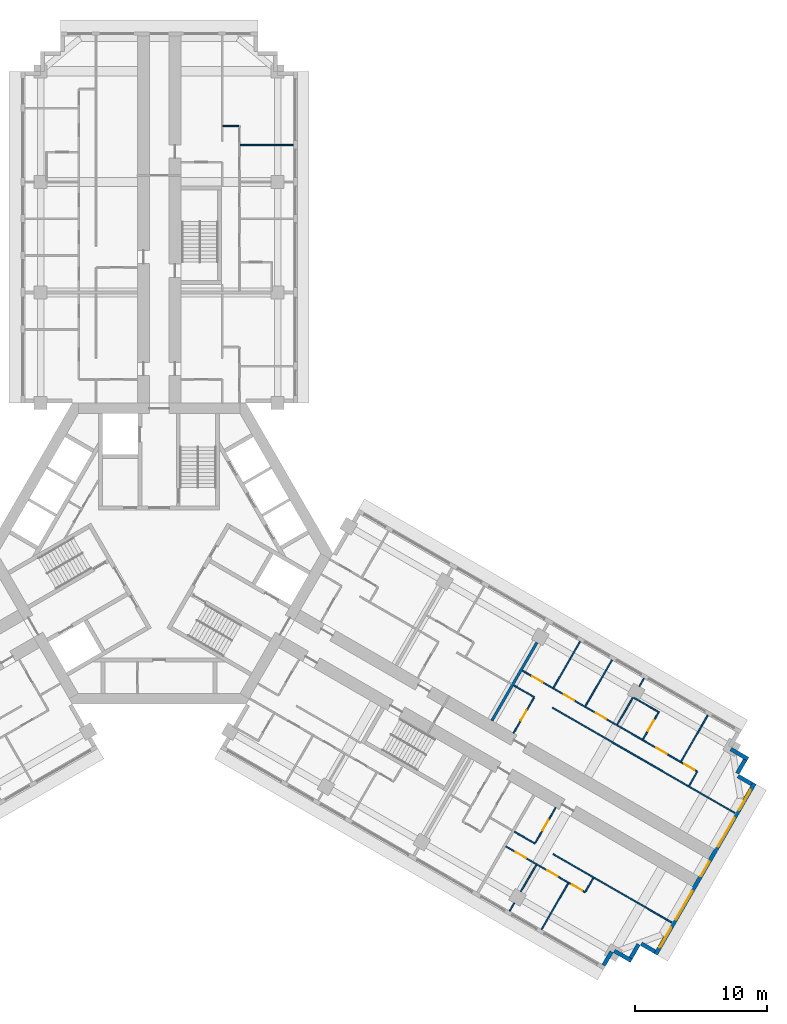
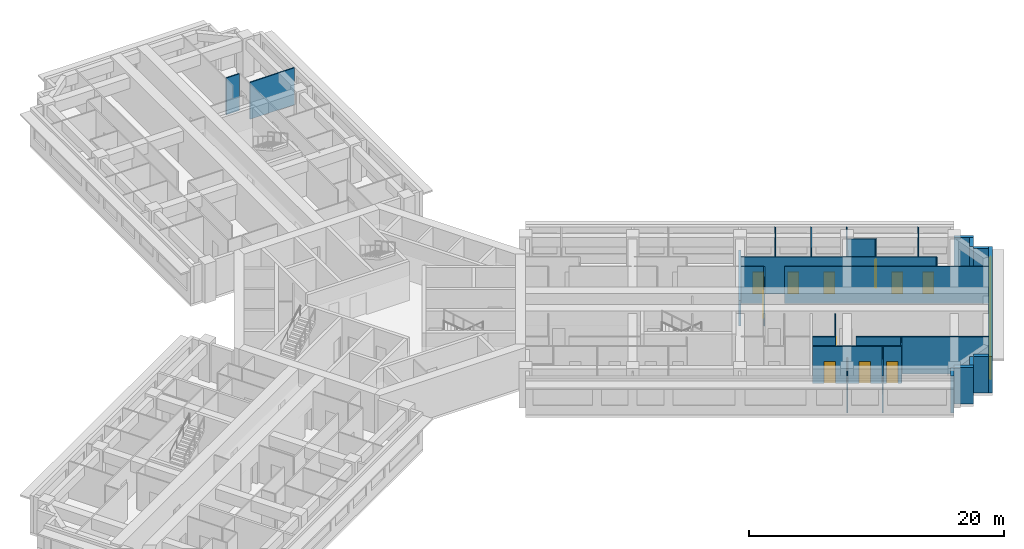
# One storey, part 10 of 13: 31 walls, 11 doors, 5 windows, 16 openings.
"""IFC4 building model written with IfcOpenShell, lengths in metres."""

from ifc_helpers import new_model, si_unit, direction, frame, frame_2d, origin, place, context, subcontext, project, spatial, rectangle, extrude, material, layer, layer_set, type_object, element, fill, save


model = new_model("IFC4")

# Units and contexts
model_context = context("Model", 3, precision=1e-05, world=origin(), true_north=direction((0.0, 1.0)))
body_context = subcontext(model_context, "Body", "Model", "MODEL_VIEW")
ifc_project = project(units=[si_unit("LENGTHUNIT", "METRE"), si_unit("AREAUNIT", "SQUARE_METRE"), si_unit("VOLUMEUNIT", "CUBIC_METRE"), si_unit("PLANEANGLEUNIT", "RADIAN"), si_unit("MASSUNIT", "GRAM", prefix="KILO")], contexts=[model_context])

# Site, building, storey
site_placement = place(None, origin())
site = spatial("IfcSite", under=ifc_project, at=site_placement, CompositionType="ELEMENT")
building_placement = place(site_placement, origin())
building = spatial("IfcBuilding", under=site, at=building_placement, Name="Impinga Residences", CompositionType="ELEMENT")
storey_placement = place(building_placement, frame((0.0, 0.0, 151.0)))
storey = spatial("IfcBuildingStorey", under=building, at=storey_placement, Name="L37", CompositionType="ELEMENT", Elevation=151.0)

# Walls
ifc_material_1 = material(Name="Terracotta rainscreen on blockwork", Category="masonry")
ifc_layer_1 = layer(ifc_material_1, 0.300048828125)
ifc_layer_set_1 = layer_set([ifc_layer_1], Name="EW1 external wall, terracotta rainscreen on blockwork 300")
wall_type_1 = type_object("IfcWallType", Name="EW1 external wall, terracotta rainscreen on blockwork 300", PredefinedType="SOLIDWALL", material=ifc_layer_set_1)
wall_1_placement = place(storey_placement, frame((43.42333984375, -14.8515625, 0.0), z_axis=(0.0, 0.0, 1.0), x_axis=(0.866031096941, -0.499990139034, 0.0)))
element("IfcWall", 1, at=wall_1_placement, inside=storey, type_object=wall_type_1, Name="External wall EW1 L37", PredefinedType="SOLIDWALL", context=body_context, shape_type="SweptSolid", body=[
    extrude(rectangle(XDim=1.5, YDim=0.300048828125, at=frame_2d((0.75, 0.0))), origin(), (0.0, 0.0, 1.0), 3.530029296875),
])
wall_2_placement = place(storey_placement, frame((44.517578125, -15.65625, 0.0), z_axis=(0.0, 0.0, 1.0), x_axis=(-0.500033551112, -0.866006032174, 0.0)))
element("IfcWall", 2, at=wall_2_placement, inside=storey, type_object=wall_type_1, Name="External wall EW1 L37", PredefinedType="SOLIDWALL", context=body_context, shape_type="SweptSolid", body=[
    extrude(rectangle(XDim=1.2001953125, YDim=0.300048828125, at=frame_2d((0.60009765625, 0.0))), origin(), (0.0, 0.0, 1.0), 3.530029296875),
])
wall_3_placement = place(storey_placement, frame((43.976806640625, -16.903076171875, 0.0), z_axis=(0.0, 0.0, 1.0), x_axis=(0.866059708757, -0.499940577336, 0.0)))
element("IfcWall", 3, at=wall_3_placement, inside=storey, type_object=wall_type_1, Name="External wall EW1 L37", PredefinedType="SOLIDWALL", context=body_context, shape_type="SweptSolid", body=[
    extrude(rectangle(XDim=1.195068359375, YDim=0.300048828125, at=frame_2d((0.59765625, 0.0))), origin(), (0.0, 0.0, 1.0), 3.530029296875),
])

# Wall, openings, windows
wall_4_placement = place(storey_placement, frame((45.216552734375, -17.445556640625, 0.0), z_axis=(0.0, 0.0, 1.0), x_axis=(-0.499997186618, -0.866027028085, 0.0)))
wall_4 = element("IfcWall", 4, at=wall_4_placement, inside=storey, type_object=wall_type_1, Name="External wall EW1 L37", PredefinedType="SOLIDWALL", context=body_context, shape_type="SweptSolid", body=[
    extrude(rectangle(XDim=15.0, YDim=0.300048828125, at=frame_2d((7.5, 0.0))), origin(), (0.0, 0.0, 1.0), 3.530029296875),
])
opening_1_placement = place(wall_4_placement, frame((0.60009765625, 0.0, 0.89990234375)))
opening_1 = element("IfcOpeningElement", 5, at=opening_1_placement, cuts=wall_4, Name="Opening W1", PredefinedType="OPENING", context=body_context, shape_type="SweptSolid", body=[
    extrude(rectangle(XDim=1.75, YDim=2.050048828125, at=frame_2d((0.875, 1.02490234375))), frame((0.0, 0.159912109375, 0.0), z_axis=(0.0, -1.0, 0.0), x_axis=(1.0, 0.0, 0.0)), (0.0, 0.0, 1.0), 0.320068359375),
])
opening_2_placement = place(wall_4_placement, frame((3.050048828125, 0.0, 0.89990234375)))
opening_2 = element("IfcOpeningElement", 6, at=opening_2_placement, cuts=wall_4, Name="Opening W2", PredefinedType="OPENING", context=body_context, shape_type="SweptSolid", body=[
    extrude(rectangle(XDim=2.5, YDim=2.050048828125, at=frame_2d((1.25, 1.02490234375))), frame((0.0, 0.159912109375, 0.0), z_axis=(0.0, -1.0, 0.0), x_axis=(1.0, 0.0, 0.0)), (0.0, 0.0, 1.0), 0.320068359375),
])
opening_3_placement = place(wall_4_placement, frame((6.85009765625, 0.0, 0.89990234375)))
opening_3 = element("IfcOpeningElement", 7, at=opening_3_placement, cuts=wall_4, Name="Opening WE1", PredefinedType="OPENING", context=body_context, shape_type="SweptSolid", body=[
    extrude(rectangle(XDim=1.300048828125, YDim=2.050048828125, at=frame_2d((0.64990234375, 1.02490234375))), frame((0.0, 0.159912109375, 0.0), z_axis=(0.0, -1.0, 0.0), x_axis=(1.0, 0.0, 0.0)), (0.0, 0.0, 1.0), 0.320068359375),
])
opening_4_placement = place(wall_4_placement, frame((9.449951171875, 0.0, 0.89990234375)))
opening_4 = element("IfcOpeningElement", 8, at=opening_4_placement, cuts=wall_4, Name="Opening W2", PredefinedType="OPENING", context=body_context, shape_type="SweptSolid", body=[
    extrude(rectangle(XDim=2.5, YDim=2.050048828125, at=frame_2d((1.25, 1.02490234375))), frame((0.0, 0.159912109375, 0.0), z_axis=(0.0, -1.0, 0.0), x_axis=(1.0, 0.0, 0.0)), (0.0, 0.0, 1.0), 0.320068359375),
])
opening_5_placement = place(wall_4_placement, frame((12.64990234375, 0.0, 0.89990234375)))
opening_5 = element("IfcOpeningElement", 9, at=opening_5_placement, cuts=wall_4, Name="Opening W1", PredefinedType="OPENING", context=body_context, shape_type="SweptSolid", body=[
    extrude(rectangle(XDim=1.75, YDim=2.050048828125, at=frame_2d((0.875, 1.02490234375))), frame((0.0, 0.159912109375, 0.0), z_axis=(0.0, -1.0, 0.0), x_axis=(1.0, 0.0, 0.0)), (0.0, 0.0, 1.0), 0.320068359375),
])
ifc_material_2 = material(Name="Aluminium window, clear double glazing", Category="aluminium")
window_type_1 = type_object("IfcWindowType", Name="W1 ribbon window 1750x2050", PartitioningType="SINGLE_PANEL", PredefinedType="WINDOW", material=ifc_material_2)
window_1_placement = place(opening_1_placement, origin())
window_1 = element("IfcWindow", 10, at=window_1_placement, inside=storey, type_object=window_type_1, Name="Window L37", OverallHeight=2.050048828125, OverallWidth=1.75, PartitioningType="SINGLE_PANEL", PredefinedType="WINDOW", context=body_context, shape_type="SweptSolid", body=[
    extrude(rectangle(XDim=1.75, YDim=2.050048828125, at=frame_2d((0.875, 1.02490234375))), frame((0.0, 0.030029296875, 0.0), z_axis=(0.0, -1.0, 0.0), x_axis=(1.0, 0.0, 0.0)), (0.0, 0.0, 1.0), 0.06005859375),
])
fill(opening_1, window_1)
window_2_placement = place(opening_5_placement, origin())
window_2 = element("IfcWindow", 11, at=window_2_placement, inside=storey, type_object=window_type_1, Name="Window L37", OverallHeight=2.050048828125, OverallWidth=1.75, PartitioningType="SINGLE_PANEL", PredefinedType="WINDOW", context=body_context, shape_type="SweptSolid", body=[
    extrude(rectangle(XDim=1.75, YDim=2.050048828125, at=frame_2d((0.875, 1.02490234375))), frame((0.0, 0.030029296875, 0.0), z_axis=(0.0, -1.0, 0.0), x_axis=(1.0, 0.0, 0.0)), (0.0, 0.0, 1.0), 0.06005859375),
])
fill(opening_5, window_2)
window_type_2 = type_object("IfcWindowType", Name="W2 ribbon window 2500x2050", PartitioningType="SINGLE_PANEL", PredefinedType="WINDOW", material=ifc_material_2)
window_3_placement = place(opening_2_placement, origin())
window_3 = element("IfcWindow", 12, at=window_3_placement, inside=storey, type_object=window_type_2, Name="Window L37", OverallHeight=2.050048828125, OverallWidth=2.5, PartitioningType="SINGLE_PANEL", PredefinedType="WINDOW", context=body_context, shape_type="SweptSolid", body=[
    extrude(rectangle(XDim=2.5, YDim=2.050048828125, at=frame_2d((1.25, 1.02490234375))), frame((0.0, 0.030029296875, 0.0), z_axis=(0.0, -1.0, 0.0), x_axis=(1.0, 0.0, 0.0)), (0.0, 0.0, 1.0), 0.06005859375),
])
fill(opening_2, window_3)
window_4_placement = place(opening_4_placement, origin())
window_4 = element("IfcWindow", 13, at=window_4_placement, inside=storey, type_object=window_type_2, Name="Window L37", OverallHeight=2.050048828125, OverallWidth=2.5, PartitioningType="SINGLE_PANEL", PredefinedType="WINDOW", context=body_context, shape_type="SweptSolid", body=[
    extrude(rectangle(XDim=2.5, YDim=2.050048828125, at=frame_2d((1.25, 1.02490234375))), frame((0.0, 0.030029296875, 0.0), z_axis=(0.0, -1.0, 0.0), x_axis=(1.0, 0.0, 0.0)), (0.0, 0.0, 1.0), 0.06005859375),
])
fill(opening_4, window_4)
window_type_3 = type_object("IfcWindowType", Name="WE1 corridor window 1300x2050", PartitioningType="SINGLE_PANEL", PredefinedType="WINDOW", material=ifc_material_2)
window_5_placement = place(opening_3_placement, origin())
window_5 = element("IfcWindow", 14, at=window_5_placement, inside=storey, type_object=window_type_3, Name="Window L37", OverallHeight=2.050048828125, OverallWidth=1.300048828125, PartitioningType="SINGLE_PANEL", PredefinedType="WINDOW", context=body_context, shape_type="SweptSolid", body=[
    extrude(rectangle(XDim=1.300048828125, YDim=2.050048828125, at=frame_2d((0.64990234375, 1.02490234375))), frame((0.0, 0.030029296875, 0.0), z_axis=(0.0, -1.0, 0.0), x_axis=(1.0, 0.0, 0.0)), (0.0, 0.0, 1.0), 0.06005859375),
])
fill(opening_3, window_5)

# Walls
wall_5_placement = place(storey_placement, frame((37.66162109375, -30.23095703125, 0.0), z_axis=(0.0, 0.0, 1.0), x_axis=(-0.866059708757, 0.499940577336, 0.0)))
element("IfcWall", 15, at=wall_5_placement, inside=storey, type_object=wall_type_1, Name="External wall EW1 L37", PredefinedType="SOLIDWALL", context=body_context, shape_type="SweptSolid", body=[
    extrude(rectangle(XDim=1.195068359375, YDim=0.300048828125, at=frame_2d((0.59765625, 0.0))), origin(), (0.0, 0.0, 1.0), 3.530029296875),
])
wall_6_placement = place(storey_placement, frame((36.41748046875, -29.68603515625, 0.0), z_axis=(0.0, 0.0, 1.0), x_axis=(-0.499969057507, -0.866043267704, 0.0)))
element("IfcWall", 16, at=wall_6_placement, inside=storey, type_object=wall_type_1, Name="External wall EW1 L37", PredefinedType="SOLIDWALL", context=body_context, shape_type="SweptSolid", body=[
    extrude(rectangle(XDim=1.19970703125, YDim=0.300048828125, at=frame_2d((0.599853515625, 0.0))), origin(), (0.0, 0.0, 1.0), 3.530029296875),
])
wall_7_placement = place(storey_placement, frame((35.87255859375, -30.93017578125, 0.0), z_axis=(0.0, 0.0, 1.0), x_axis=(-0.866031096941, 0.499990139034, 0.0)))
element("IfcWall", 17, at=wall_7_placement, inside=storey, type_object=wall_type_1, Name="External wall EW1 L37", PredefinedType="SOLIDWALL", context=body_context, shape_type="SweptSolid", body=[
    extrude(rectangle(XDim=1.5, YDim=0.300048828125, at=frame_2d((0.75, 0.0))), origin(), (0.0, 0.0, 1.0), 3.530029296875),
])
wall_8_placement = place(storey_placement, frame((34.365966796875, -30.2392578125, 0.0), z_axis=(0.0, 0.0, 1.0), x_axis=(-0.499940577336, -0.866059708757, 0.0)))
element("IfcWall", 18, at=wall_8_placement, inside=storey, type_object=wall_type_1, Name="External wall EW1 L37", PredefinedType="SOLIDWALL", context=body_context, shape_type="SweptSolid", body=[
    extrude(rectangle(XDim=1.195068359375, YDim=0.300048828125, at=frame_2d((0.59765625, 0.0))), origin(), (0.0, 0.0, 1.0), 3.530029296875),
])
ifc_material_3 = material(Name="Gypsum board on steel studs", Category="steel")
ifc_layer_2 = layer(ifc_material_3, 0.10009765625)
ifc_layer_set_2 = layer_set([ifc_layer_2], Name="Gypsum board on steel studs")
wall_type_2 = type_object("IfcWallType", Name="IP1 partition 100", PredefinedType="PARTITIONING", material=ifc_layer_set_2)
wall_9_placement = place(storey_placement, frame((4.85009765625, 32.4814453125, 0.0), z_axis=(0.0, 0.0, 1.0), x_axis=(1.0, 0.0, 0.0)))
element("IfcWall", 19, at=wall_9_placement, inside=storey, type_object=wall_type_2, Name="Partition L37-NF2:SE1", PredefinedType="PARTITIONING", context=body_context, shape_type="SweptSolid", body=[
    extrude(rectangle(XDim=1.199951171875, YDim=0.10009765625, at=frame_2d((0.60009765625, 0.0))), origin(), (0.0, 0.0, 1.0), 3.530029296875),
])
wall_10_placement = place(storey_placement, frame((6.14990234375, 31.031494140625, 0.0), z_axis=(0.0, 0.0, 1.0), x_axis=(1.0, 0.0, 0.0)))
element("IfcWall", 20, at=wall_10_placement, inside=storey, type_object=wall_type_2, Name="Partition L37-NF2:OB3", PredefinedType="PARTITIONING", context=body_context, shape_type="SweptSolid", body=[
    extrude(rectangle(XDim=4.050048828125, YDim=0.10009765625, at=frame_2d((2.02490234375, 0.0))), origin(), (0.0, 0.0, 1.0), 3.530029296875),
])
wall_11_placement = place(storey_placement, frame((26.935791015625, -10.0087890625, 0.0), z_axis=(0.0, 0.0, 1.0), x_axis=(0.865989075817, -0.500062916607, 0.0)))
element("IfcWall", 21, at=wall_11_placement, inside=storey, type_object=wall_type_2, Name="Partition L37-EA3:DIV0", PredefinedType="PARTITIONING", context=body_context, shape_type="SweptSolid", body=[
    extrude(rectangle(XDim=1.800048828125, YDim=0.10009765625, at=frame_2d((0.89990234375, 0.0))), origin(), (0.0, 0.0, 1.0), 3.530029296875),
])
wall_12_placement = place(storey_placement, frame((29.88037109375, -11.708740234375, 0.0), z_axis=(0.0, 0.0, 1.0), x_axis=(0.866026010844, -0.49999894854, 0.0)))
element("IfcWall", 22, at=wall_12_placement, inside=storey, type_object=wall_type_2, Name="Partition L37-EA3:DIV1", PredefinedType="PARTITIONING", context=body_context, shape_type="SweptSolid", body=[
    extrude(rectangle(XDim=16.0, YDim=0.10009765625, at=frame_2d((8.0, 0.0))), origin(), (0.0, 0.0, 1.0), 3.530029296875),
])

# Wall, openings, doors
wall_13_placement = place(storey_placement, frame((27.5859375, -8.883056640625, 0.0), z_axis=(0.0, 0.0, 1.0), x_axis=(0.866023490266, -0.500003314297, 0.0)))
wall_13 = element("IfcWall", 23, at=wall_13_placement, inside=storey, type_object=wall_type_2, Name="Partition L37-EA3:STRIP", PredefinedType="PARTITIONING", context=body_context, shape_type="SweptSolid", body=[
    extrude(rectangle(XDim=15.35009765625, YDim=0.10009765625, at=frame_2d((7.675048828125, 0.0))), origin(), (0.0, 0.0, 1.0), 3.530029296875),
])
opening_6_placement = place(wall_13_placement, frame((0.875, 0.0, 0.0)))
opening_6 = element("IfcOpeningElement", 24, at=opening_6_placement, cuts=wall_13, Name="Opening D2", PredefinedType="OPENING", context=body_context, shape_type="SweptSolid", body=[
    extrude(rectangle(XDim=0.89990234375, YDim=2.10009765625, at=frame_2d((0.449951171875, 1.050048828125))), frame((0.0, 0.06005859375, 0.0), z_axis=(0.0, -1.0, 0.0), x_axis=(1.0, 0.0, 0.0)), (0.0, 0.0, 1.0), 0.1201171875),
])
opening_7_placement = place(wall_13_placement, frame((3.64990234375, 0.0, 0.0)))
opening_7 = element("IfcOpeningElement", 25, at=opening_7_placement, cuts=wall_13, Name="Opening D2", PredefinedType="OPENING", context=body_context, shape_type="SweptSolid", body=[
    extrude(rectangle(XDim=0.89990234375, YDim=2.10009765625, at=frame_2d((0.449951171875, 1.050048828125))), frame((0.0, 0.06005859375, 0.0), z_axis=(0.0, -1.0, 0.0), x_axis=(1.0, 0.0, 0.0)), (0.0, 0.0, 1.0), 0.1201171875),
])
opening_8_placement = place(wall_13_placement, frame((6.449951171875, 0.0, 0.0)))
opening_8 = element("IfcOpeningElement", 26, at=opening_8_placement, cuts=wall_13, Name="Opening D2", PredefinedType="OPENING", context=body_context, shape_type="SweptSolid", body=[
    extrude(rectangle(XDim=0.89990234375, YDim=2.10009765625, at=frame_2d((0.449951171875, 1.050048828125))), frame((0.0, 0.06005859375, 0.0), z_axis=(0.0, -1.0, 0.0), x_axis=(1.0, 0.0, 0.0)), (0.0, 0.0, 1.0), 0.1201171875),
])
opening_9_placement = place(wall_13_placement, frame((11.77490234375, 0.0, 0.0)))
opening_9 = element("IfcOpeningElement", 27, at=opening_9_placement, cuts=wall_13, Name="Opening D2", PredefinedType="OPENING", context=body_context, shape_type="SweptSolid", body=[
    extrude(rectangle(XDim=0.89990234375, YDim=2.10009765625, at=frame_2d((0.449951171875, 1.050048828125))), frame((0.0, 0.06005859375, 0.0), z_axis=(0.0, -1.0, 0.0), x_axis=(1.0, 0.0, 0.0)), (0.0, 0.0, 1.0), 0.1201171875),
])
opening_10_placement = place(wall_13_placement, frame((14.199951171875, 0.0, 0.0)))
opening_10 = element("IfcOpeningElement", 28, at=opening_10_placement, cuts=wall_13, Name="Opening D2", PredefinedType="OPENING", context=body_context, shape_type="SweptSolid", body=[
    extrude(rectangle(XDim=0.89990234375, YDim=2.10009765625, at=frame_2d((0.449951171875, 1.050048828125))), frame((0.0, 0.06005859375, 0.0), z_axis=(0.0, -1.0, 0.0), x_axis=(1.0, 0.0, 0.0)), (0.0, 0.0, 1.0), 0.1201171875),
])
ifc_material_4 = material(Name="Timber door set", Category="wood")
door_type = type_object("IfcDoorType", Name="D2 internal door 900x2100", OperationType="SINGLE_SWING_LEFT", PredefinedType="DOOR", material=ifc_material_4)
door_1_placement = place(opening_6_placement, origin())
door_1 = element("IfcDoor", 29, at=door_1_placement, inside=storey, type_object=door_type, Name="Apartment L37-EA3 room door", OperationType="SINGLE_SWING_LEFT", OverallHeight=2.10009765625, OverallWidth=0.89990234375, PredefinedType="DOOR", context=body_context, shape_type="SweptSolid", body=[
    extrude(rectangle(XDim=0.89990234375, YDim=2.10009765625, at=frame_2d((0.449951171875, 1.050048828125))), frame((0.0, 0.02490234375, 0.0), z_axis=(0.0, -1.0, 0.0), x_axis=(1.0, 0.0, 0.0)), (0.0, 0.0, 1.0), 0.050048828125),
])
fill(opening_6, door_1)
door_2_placement = place(opening_7_placement, origin())
door_2 = element("IfcDoor", 30, at=door_2_placement, inside=storey, type_object=door_type, Name="Apartment L37-EA3 room door", OperationType="SINGLE_SWING_LEFT", OverallHeight=2.10009765625, OverallWidth=0.89990234375, PredefinedType="DOOR", context=body_context, shape_type="SweptSolid", body=[
    extrude(rectangle(XDim=0.89990234375, YDim=2.10009765625, at=frame_2d((0.449951171875, 1.050048828125))), frame((0.0, 0.02490234375, 0.0), z_axis=(0.0, -1.0, 0.0), x_axis=(1.0, 0.0, 0.0)), (0.0, 0.0, 1.0), 0.050048828125),
])
fill(opening_7, door_2)
door_3_placement = place(opening_8_placement, origin())
door_3 = element("IfcDoor", 31, at=door_3_placement, inside=storey, type_object=door_type, Name="Apartment L37-EA3 room door", OperationType="SINGLE_SWING_LEFT", OverallHeight=2.10009765625, OverallWidth=0.89990234375, PredefinedType="DOOR", context=body_context, shape_type="SweptSolid", body=[
    extrude(rectangle(XDim=0.89990234375, YDim=2.10009765625, at=frame_2d((0.449951171875, 1.050048828125))), frame((0.0, 0.02490234375, 0.0), z_axis=(0.0, -1.0, 0.0), x_axis=(1.0, 0.0, 0.0)), (0.0, 0.0, 1.0), 0.050048828125),
])
fill(opening_8, door_3)
door_4_placement = place(opening_9_placement, origin())
door_4 = element("IfcDoor", 32, at=door_4_placement, inside=storey, type_object=door_type, Name="Apartment L37-EA3 room door", OperationType="SINGLE_SWING_RIGHT", OverallHeight=2.10009765625, OverallWidth=0.89990234375, PredefinedType="DOOR", context=body_context, shape_type="SweptSolid", body=[
    extrude(rectangle(XDim=0.89990234375, YDim=2.10009765625, at=frame_2d((0.449951171875, 1.050048828125))), frame((0.0, 0.02490234375, 0.0), z_axis=(0.0, -1.0, 0.0), x_axis=(1.0, 0.0, 0.0)), (0.0, 0.0, 1.0), 0.050048828125),
])
fill(opening_9, door_4)
door_5_placement = place(opening_10_placement, origin())
door_5 = element("IfcDoor", 33, at=door_5_placement, inside=storey, type_object=door_type, Name="Apartment L37-EA3 room door", OperationType="SINGLE_SWING_RIGHT", OverallHeight=2.10009765625, OverallWidth=0.89990234375, PredefinedType="DOOR", context=body_context, shape_type="SweptSolid", body=[
    extrude(rectangle(XDim=0.89990234375, YDim=2.10009765625, at=frame_2d((0.449951171875, 1.050048828125))), frame((0.0, 0.02490234375, 0.0), z_axis=(0.0, -1.0, 0.0), x_axis=(1.0, 0.0, 0.0)), (0.0, 0.0, 1.0), 0.050048828125),
])
fill(opening_10, door_5)

# Wall
wall_14_placement = place(storey_placement, frame((40.25439453125, -17.640625, 0.0), z_axis=(0.0, 0.0, 1.0), x_axis=(0.499880961361, 0.866094119867, 0.0)))
element("IfcWall", 34, at=wall_14_placement, inside=storey, type_object=wall_type_2, Name="Partition L37-EA3:SE1", PredefinedType="PARTITIONING", context=body_context, shape_type="SweptSolid", body=[
    extrude(rectangle(XDim=1.199951171875, YDim=0.10009765625, at=frame_2d((0.60009765625, 0.0))), origin(), (0.0, 0.0, 1.0), 3.530029296875),
])

# Wall, opening, door
wall_15_placement = place(storey_placement, frame((26.919677734375, -13.63671875, 0.0), z_axis=(0.0, 0.0, 1.0), x_axis=(0.500026960575, 0.86600983753, 0.0)))
wall_15 = element("IfcWall", 35, at=wall_15_placement, inside=storey, type_object=wall_type_2, Name="Partition L37-EA3:IB1", PredefinedType="PARTITIONING", context=body_context, shape_type="SweptSolid", body=[
    extrude(rectangle(XDim=3.099853515625, YDim=0.10009765625, at=frame_2d((1.5498046875, 0.0))), origin(), (0.0, 0.0, 1.0), 3.530029296875),
])
opening_11_placement = place(wall_15_placement, frame((1.10009765625, 0.0, 0.0)))
opening_11 = element("IfcOpeningElement", 36, at=opening_11_placement, cuts=wall_15, Name="Opening D2", PredefinedType="OPENING", context=body_context, shape_type="SweptSolid", body=[
    extrude(rectangle(XDim=0.89990234375, YDim=2.10009765625, at=frame_2d((0.449951171875, 1.050048828125))), frame((0.0, 0.06005859375, 0.0), z_axis=(0.0, -1.0, 0.0), x_axis=(1.0, 0.0, 0.0)), (0.0, 0.0, 1.0), 0.1201171875),
])
door_6_placement = place(opening_11_placement, origin())
door_6 = element("IfcDoor", 37, at=door_6_placement, inside=storey, type_object=door_type, Name="Apartment L37-EA3 bathroom door", OperationType="SINGLE_SWING_LEFT", OverallHeight=2.10009765625, OverallWidth=0.89990234375, PredefinedType="DOOR", context=body_context, shape_type="SweptSolid", body=[
    extrude(rectangle(XDim=0.89990234375, YDim=2.10009765625, at=frame_2d((0.449951171875, 1.050048828125))), frame((0.0, 0.02490234375, 0.0), z_axis=(0.0, -1.0, 0.0), x_axis=(1.0, 0.0, 0.0)), (0.0, 0.0, 1.0), 0.050048828125),
])
fill(opening_11, door_6)

# Walls
for number, where, z_axis, x_axis, name in (
    (38, (29.94921875, -10.189697265625, 0.0), (0.0, 0.0, 1.0), (0.499990325971, 0.866030989016, 0.0), "Partition L37-EA3:OB1"),
    (39, (32.3740234375, -11.589599609375, 0.0), (0.0, 0.0, 1.0), (0.499990325971, 0.866030989016, 0.0), "Partition L37-EA3:OB2"),
):
    element("IfcWall", number, at=place(storey_placement, frame(where, z_axis=z_axis, x_axis=x_axis)), inside=storey, type_object=wall_type_2, Name=name, PredefinedType="PARTITIONING", context=body_context, shape_type="SweptSolid", body=[
        extrude(rectangle(XDim=4.0498046875, YDim=0.10009765625, at=frame_2d((2.02490234375, 0.0))), origin(), (0.0, 0.0, 1.0), 3.530029296875),
    ])
wall_16_placement = place(storey_placement, frame((34.798828125, -12.98974609375, 0.0), z_axis=(0.0, 0.0, 1.0), x_axis=(0.500016218704, 0.866016039709, 0.0)))
element("IfcWall", 40, at=wall_16_placement, inside=storey, type_object=wall_type_2, Name="Partition L37-EA3:OB3", PredefinedType="PARTITIONING", context=body_context, shape_type="SweptSolid", body=[
    extrude(rectangle(XDim=2.35009765625, YDim=0.10009765625, at=frame_2d((1.175048828125, 0.0))), origin(), (0.0, 0.0, 1.0), 2.47998046875),
])
wall_17_placement = place(storey_placement, frame((36.473876953125, -10.088623046875, 0.0), z_axis=(0.0, 0.0, 1.0), x_axis=(0.499853302173, 0.866110083249, 0.0)))
element("IfcWall", 41, at=wall_17_placement, inside=storey, type_object=wall_type_2, Name="Partition L37-EA3:OB3b", PredefinedType="PARTITIONING", context=body_context, shape_type="SweptSolid", body=[
    extrude(rectangle(XDim=0.699951171875, YDim=0.10009765625, at=frame_2d((0.35009765625, 0.0))), origin(), (0.0, 0.0, 1.0), 3.530029296875),
])
wall_18_placement = place(storey_placement, frame((39.648681640625, -15.789794921875, 0.0), z_axis=(0.0, 0.0, 1.0), x_axis=(0.499964223975, 0.866046058097, 0.0)))
element("IfcWall", 42, at=wall_18_placement, inside=storey, type_object=wall_type_2, Name="Partition L37-EA3:OB4", PredefinedType="PARTITIONING", context=body_context, shape_type="SweptSolid", body=[
    extrude(rectangle(XDim=4.050048828125, YDim=0.10009765625, at=frame_2d((2.02490234375, 0.0))), origin(), (0.0, 0.0, 1.0), 3.530029296875),
])

# Wall, opening, door
wall_19_placement = place(storey_placement, frame((36.747314453125, -14.11474609375, 0.0), z_axis=(0.0, 0.0, 1.0), x_axis=(0.500018594424, 0.866014668023, 0.0)))
wall_19 = element("IfcWall", 43, at=wall_19_placement, inside=storey, type_object=wall_type_2, Name="Partition L37-EA3:EN1", PredefinedType="PARTITIONING", context=body_context, shape_type="SweptSolid", body=[
    extrude(rectangle(XDim=2.4501953125, YDim=0.10009765625, at=frame_2d((1.22509765625, 0.0))), origin(), (0.0, 0.0, 1.0), 3.530029296875),
])
opening_12_placement = place(wall_19_placement, frame((0.75, 0.0, 0.0)))
opening_12 = element("IfcOpeningElement", 44, at=opening_12_placement, cuts=wall_19, Name="Opening D2", PredefinedType="OPENING", context=body_context, shape_type="SweptSolid", body=[
    extrude(rectangle(XDim=0.89990234375, YDim=2.10009765625, at=frame_2d((0.449951171875, 1.050048828125))), frame((0.0, 0.06005859375, 0.0), z_axis=(0.0, -1.0, 0.0), x_axis=(1.0, 0.0, 0.0)), (0.0, 0.0, 1.0), 0.1201171875),
])
door_7_placement = place(opening_12_placement, origin())
door_7 = element("IfcDoor", 45, at=door_7_placement, inside=storey, type_object=door_type, Name="Apartment L37-EA3 en-suite door", OperationType="SINGLE_SWING_LEFT", OverallHeight=2.10009765625, OverallWidth=0.89990234375, PredefinedType="DOOR", context=body_context, shape_type="SweptSolid", body=[
    extrude(rectangle(XDim=0.89990234375, YDim=2.10009765625, at=frame_2d((0.449951171875, 1.050048828125))), frame((0.0, 0.02490234375, 0.0), z_axis=(0.0, -1.0, 0.0), x_axis=(1.0, 0.0, 0.0)), (0.0, 0.0, 1.0), 0.050048828125),
])
fill(opening_12, door_7)

# Walls
wall_20_placement = place(storey_placement, frame((36.042236328125, -10.936279296875, 0.0), z_axis=(0.0, 0.0, 1.0), x_axis=(0.866019166195, -0.500010803666, 0.0)))
element("IfcWall", 46, at=wall_20_placement, inside=storey, type_object=wall_type_2, Name="Partition L37-EA3:EN2", PredefinedType="PARTITIONING", context=body_context, shape_type="SweptSolid", body=[
    extrude(rectangle(XDim=2.14990234375, YDim=0.10009765625, at=frame_2d((1.074951171875, 0.0))), origin(), (0.0, 0.0, 1.0), 3.530029296875),
])
wall_21_placement = place(storey_placement, frame((26.985595703125, -21.122802734375, 0.0), z_axis=(0.0, 0.0, 1.0), x_axis=(0.866047807691, -0.499961193289, 0.0)))
element("IfcWall", 47, at=wall_21_placement, inside=storey, type_object=wall_type_2, Name="Partition L37-EF3:DIV0", PredefinedType="PARTITIONING", context=body_context, shape_type="SweptSolid", body=[
    extrude(rectangle(XDim=1.800048828125, YDim=0.10009765625, at=frame_2d((0.89990234375, 0.0))), origin(), (0.0, 0.0, 1.0), 3.530029296875),
])
wall_22_placement = place(storey_placement, frame((29.93017578125, -22.82275390625, 0.0), z_axis=(0.0, 0.0, 1.0), x_axis=(0.866025696342, -0.499999493275, 0.0)))
element("IfcWall", 48, at=wall_22_placement, inside=storey, type_object=wall_type_2, Name="Partition L37-EF3:DIV1", PredefinedType="PARTITIONING", context=body_context, shape_type="SweptSolid", body=[
    extrude(rectangle(XDim=10.39990234375, YDim=0.10009765625, at=frame_2d((5.199951171875, 0.0))), origin(), (0.0, 0.0, 1.0), 3.530029296875),
])

# Wall, openings, doors
wall_23_placement = place(storey_placement, frame((26.335693359375, -22.24853515625, 0.0), z_axis=(0.0, 0.0, 1.0), x_axis=(0.866016523273, -0.500015381182, 0.0)))
wall_23 = element("IfcWall", 49, at=wall_23_placement, inside=storey, type_object=wall_type_2, Name="Partition L37-EF3:STRIP", PredefinedType="PARTITIONING", context=body_context, shape_type="SweptSolid", body=[
    extrude(rectangle(XDim=6.949951171875, YDim=0.10009765625, at=frame_2d((3.47509765625, 0.0))), origin(), (0.0, 0.0, 1.0), 3.530029296875),
])
opening_13_placement = place(wall_23_placement, frame((0.875, 0.0, 0.0)))
opening_13 = element("IfcOpeningElement", 50, at=opening_13_placement, cuts=wall_23, Name="Opening D2", PredefinedType="OPENING", context=body_context, shape_type="SweptSolid", body=[
    extrude(rectangle(XDim=0.89990234375, YDim=2.10009765625, at=frame_2d((0.449951171875, 1.050048828125))), frame((0.0, 0.06005859375, 0.0), z_axis=(0.0, -1.0, 0.0), x_axis=(1.0, 0.0, 0.0)), (0.0, 0.0, 1.0), 0.1201171875),
])
opening_14_placement = place(wall_23_placement, frame((3.64990234375, 0.0, 0.0)))
opening_14 = element("IfcOpeningElement", 51, at=opening_14_placement, cuts=wall_23, Name="Opening D2", PredefinedType="OPENING", context=body_context, shape_type="SweptSolid", body=[
    extrude(rectangle(XDim=0.89990234375, YDim=2.10009765625, at=frame_2d((0.449951171875, 1.050048828125))), frame((0.0, 0.06005859375, 0.0), z_axis=(0.0, -1.0, 0.0), x_axis=(1.0, 0.0, 0.0)), (0.0, 0.0, 1.0), 0.1201171875),
])
opening_15_placement = place(wall_23_placement, frame((5.800048828125, 0.0, 0.0)))
opening_15 = element("IfcOpeningElement", 52, at=opening_15_placement, cuts=wall_23, Name="Opening D2", PredefinedType="OPENING", context=body_context, shape_type="SweptSolid", body=[
    extrude(rectangle(XDim=0.89990234375, YDim=2.10009765625, at=frame_2d((0.449951171875, 1.050048828125))), frame((0.0, 0.06005859375, 0.0), z_axis=(0.0, -1.0, 0.0), x_axis=(1.0, 0.0, 0.0)), (0.0, 0.0, 1.0), 0.1201171875),
])
door_8_placement = place(opening_13_placement, origin())
door_8 = element("IfcDoor", 53, at=door_8_placement, inside=storey, type_object=door_type, Name="Apartment L37-EF3 room door", OperationType="SINGLE_SWING_LEFT", OverallHeight=2.10009765625, OverallWidth=0.89990234375, PredefinedType="DOOR", context=body_context, shape_type="SweptSolid", body=[
    extrude(rectangle(XDim=0.89990234375, YDim=2.10009765625, at=frame_2d((0.449951171875, 1.050048828125))), frame((0.0, 0.02490234375, 0.0), z_axis=(0.0, -1.0, 0.0), x_axis=(1.0, 0.0, 0.0)), (0.0, 0.0, 1.0), 0.050048828125),
])
fill(opening_13, door_8)
door_9_placement = place(opening_14_placement, origin())
door_9 = element("IfcDoor", 54, at=door_9_placement, inside=storey, type_object=door_type, Name="Apartment L37-EF3 room door", OperationType="SINGLE_SWING_RIGHT", OverallHeight=2.10009765625, OverallWidth=0.89990234375, PredefinedType="DOOR", context=body_context, shape_type="SweptSolid", body=[
    extrude(rectangle(XDim=0.89990234375, YDim=2.10009765625, at=frame_2d((0.449951171875, 1.050048828125))), frame((0.0, 0.02490234375, 0.0), z_axis=(0.0, -1.0, 0.0), x_axis=(1.0, 0.0, 0.0)), (0.0, 0.0, 1.0), 0.050048828125),
])
fill(opening_14, door_9)
door_10_placement = place(opening_15_placement, origin())
door_10 = element("IfcDoor", 55, at=door_10_placement, inside=storey, type_object=door_type, Name="Apartment L37-EF3 room door", OperationType="SINGLE_SWING_RIGHT", OverallHeight=2.10009765625, OverallWidth=0.89990234375, PredefinedType="DOOR", context=body_context, shape_type="SweptSolid", body=[
    extrude(rectangle(XDim=0.89990234375, YDim=2.10009765625, at=frame_2d((0.449951171875, 1.050048828125))), frame((0.0, 0.02490234375, 0.0), z_axis=(0.0, -1.0, 0.0), x_axis=(1.0, 0.0, 0.0)), (0.0, 0.0, 1.0), 0.050048828125),
])
fill(opening_15, door_10)

# Wall
wall_24_placement = place(storey_placement, frame((32.9794921875, -24.640869140625, 0.0), z_axis=(0.0, 0.0, 1.0), x_axis=(-0.500033551112, -0.866006032174, 0.0)))
element("IfcWall", 56, at=wall_24_placement, inside=storey, type_object=wall_type_2, Name="Partition L37-EF3:SE1", PredefinedType="PARTITIONING", context=body_context, shape_type="SweptSolid", body=[
    extrude(rectangle(XDim=1.2001953125, YDim=0.10009765625, at=frame_2d((0.60009765625, 0.0))), origin(), (0.0, 0.0, 1.0), 3.530029296875),
])

# Wall, opening, door
wall_25_placement = place(storey_placement, frame((30.119384765625, -19.294677734375, 0.0), z_axis=(0.0, 0.0, 1.0), x_axis=(-0.49999285859, -0.86602952684, 0.0)))
wall_25 = element("IfcWall", 57, at=wall_25_placement, inside=storey, type_object=wall_type_2, Name="Partition L37-EF3:IB1", PredefinedType="PARTITIONING", context=body_context, shape_type="SweptSolid", body=[
    extrude(rectangle(XDim=3.10009765625, YDim=0.10009765625, at=frame_2d((1.550048828125, 0.0))), origin(), (0.0, 0.0, 1.0), 3.530029296875),
])
opening_16_placement = place(wall_25_placement, frame((1.10009765625, 0.0, 0.0)))
opening_16 = element("IfcOpeningElement", 58, at=opening_16_placement, cuts=wall_25, Name="Opening D2", PredefinedType="OPENING", context=body_context, shape_type="SweptSolid", body=[
    extrude(rectangle(XDim=0.89990234375, YDim=2.10009765625, at=frame_2d((0.449951171875, 1.050048828125))), frame((0.0, 0.06005859375, 0.0), z_axis=(0.0, -1.0, 0.0), x_axis=(1.0, 0.0, 0.0)), (0.0, 0.0, 1.0), 0.1201171875),
])
door_11_placement = place(opening_16_placement, origin())
door_11 = element("IfcDoor", 59, at=door_11_placement, inside=storey, type_object=door_type, Name="Apartment L37-EF3 bathroom door", OperationType="SINGLE_SWING_LEFT", OverallHeight=2.10009765625, OverallWidth=0.89990234375, PredefinedType="DOOR", context=body_context, shape_type="SweptSolid", body=[
    extrude(rectangle(XDim=0.89990234375, YDim=2.10009765625, at=frame_2d((0.449951171875, 1.050048828125))), frame((0.0, 0.02490234375, 0.0), z_axis=(0.0, -1.0, 0.0), x_axis=(1.0, 0.0, 0.0)), (0.0, 0.0, 1.0), 0.050048828125),
])
fill(opening_16, door_11)

# Walls
wall_26_placement = place(storey_placement, frame((28.64892578125, -23.641845703125, 0.0), z_axis=(0.0, 0.0, 1.0), x_axis=(-0.500016218704, -0.866016039709, 0.0)))
element("IfcWall", 60, at=wall_26_placement, inside=storey, type_object=wall_type_2, Name="Partition L37-EF3:OB1", PredefinedType="PARTITIONING", context=body_context, shape_type="SweptSolid", body=[
    extrude(rectangle(XDim=2.35009765625, YDim=0.10009765625, at=frame_2d((1.175048828125, 0.0))), origin(), (0.0, 0.0, 1.0), 2.47998046875),
])
wall_27_placement = place(storey_placement, frame((26.973876953125, -26.54296875, 0.0), z_axis=(0.0, 0.0, 1.0), x_axis=(-0.500114896893, -0.865959057869, 0.0)))
element("IfcWall", 61, at=wall_27_placement, inside=storey, type_object=wall_type_2, Name="Partition L37-EF3:OB1b", PredefinedType="PARTITIONING", context=body_context, shape_type="SweptSolid", body=[
    extrude(rectangle(XDim=0.699951171875, YDim=0.10009765625, at=frame_2d((0.35009765625, 0.0))), origin(), (0.0, 0.0, 1.0), 3.530029296875),
])
wall_28_placement = place(storey_placement, frame((31.07373046875, -25.041748046875, 0.0), z_axis=(0.0, 0.0, 1.0), x_axis=(-0.499964223975, -0.866046058097, 0.0)))
element("IfcWall", 62, at=wall_28_placement, inside=storey, type_object=wall_type_2, Name="Partition L37-EF3:OB2", PredefinedType="PARTITIONING", context=body_context, shape_type="SweptSolid", body=[
    extrude(rectangle(XDim=4.050048828125, YDim=0.10009765625, at=frame_2d((2.02490234375, 0.0))), origin(), (0.0, 0.0, 1.0), 3.530029296875),
])
ifc_material_5 = material(Name="Concrete blockwork", Category="masonry")
ifc_layer_3 = layer(ifc_material_5, 0.199951171875)
ifc_layer_set_3 = layer_set([ifc_layer_3], Name="PW1 party wall between apartments 200")
wall_type_3 = type_object("IfcWallType", Name="PW1 party wall between apartments 200", PredefinedType="SOLIDWALL", material=ifc_layer_set_3)
wall_29_placement = place(storey_placement, frame((25.274169921875, -12.686767578125, 0.0), z_axis=(0.0, 0.0, 1.0), x_axis=(0.500014519185, 0.866017020967, 0.0)))
element("IfcWall", 63, at=wall_29_placement, inside=storey, type_object=wall_type_3, Name="Party wall between apartments L37-EA2:PARTY", PredefinedType="SOLIDWALL", context=body_context, shape_type="SweptSolid", body=[
    extrude(rectangle(XDim=6.849853515625, YDim=0.199951171875, at=frame_2d((3.4248046875, 0.0))), origin(), (0.0, 0.0, 1.0), 2.47998046875),
])

save(model, "model.ifc")
